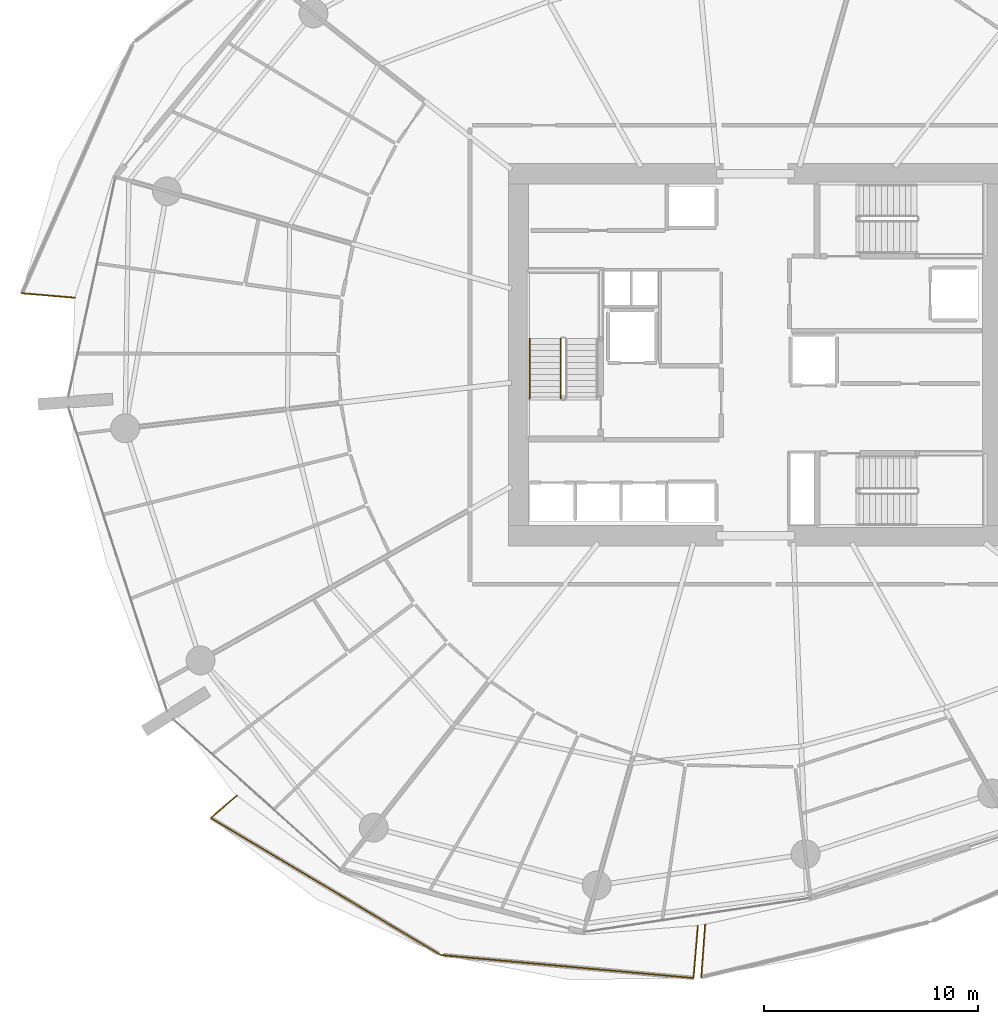
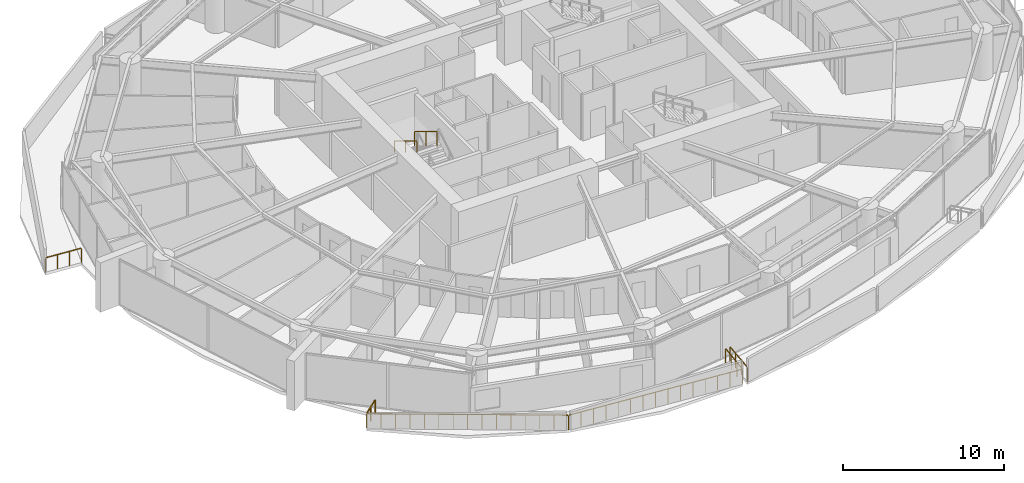
# One storey, part 25 of 31: 8 railings.
"""IFC4 building model written with IfcOpenShell, lengths in metres."""

from ifc_helpers import new_model, si_unit, direction, frame, origin, origin_2d, place, context, subcontext, project, spatial, rectangle, extrude, material, type_object, element, save


model = new_model("IFC4")

# Units and contexts
model_context = context("Model", 3, precision=1e-05, world=origin(), true_north=direction((0.0, 1.0)))
body_context = subcontext(model_context, "Body", "Model", "MODEL_VIEW")
ifc_project = project(units=[si_unit("LENGTHUNIT", "METRE"), si_unit("AREAUNIT", "SQUARE_METRE"), si_unit("VOLUMEUNIT", "CUBIC_METRE"), si_unit("PLANEANGLEUNIT", "RADIAN"), si_unit("MASSUNIT", "GRAM", prefix="KILO")], contexts=[model_context])

# Site, building, storey
site_placement = place(None, origin())
site = spatial("IfcSite", under=ifc_project, at=site_placement, CompositionType="ELEMENT")
building_placement = place(site_placement, origin())
building = spatial("IfcBuilding", under=site, at=building_placement, Name="Kazma Halo Residences", CompositionType="ELEMENT")
storey_placement = place(building_placement, frame((0.0, 0.0, 45.14990234375)))
storey = spatial("IfcBuildingStorey", under=building, at=storey_placement, Name="L10", CompositionType="ELEMENT", Elevation=45.14990234375)

# Railings
ifc_material_1 = material(Name="Aluminium AW-6063 T6 Brushed Cap Rail", Category="aluminium")
railing_type_1 = type_object("IfcRailingType", Name="RLG-BAL-CAP-1120", PredefinedType="BALUSTRADE", material=ifc_material_1)
railing_1_placement = place(storey_placement, frame((14.06201171875, 44.879638671875, 0.0)))
element("IfcRailing", 1, at=railing_1_placement, inside=storey, type_object=railing_type_1, Name="L10 NW wave balcony guard 4", PredefinedType="BALUSTRADE", context=body_context, shape_type="SweptSolid", body=[
    extrude(rectangle(XDim=0.050048828125, YDim=0.050048828125, at=origin_2d()), frame((0.04248046875, -0.003662109375, 1.09521484375), z_axis=(0.996423281843, -0.084502327789, 0.0), x_axis=(0.084502327789, 0.996423281843, 0.0)), (0.0, 0.0, 1.0), 2.4111328125),
    extrude(rectangle(XDim=0.0400390625, YDim=0.0400390625, at=origin_2d()), origin(), (0.0, 0.0, 1.0), 1.05810546875),
    extrude(rectangle(XDim=0.0400390625, YDim=0.0400390625, at=origin_2d()), frame((0.8291015625, -0.0703125, 0.0)), (0.0, 0.0, 1.0), 1.05810546875),
    extrude(rectangle(XDim=0.0400390625, YDim=0.0400390625, at=origin_2d()), frame((1.658203125, -0.140625, 0.0)), (0.0, 0.0, 1.0), 1.05810546875),
    extrude(rectangle(XDim=0.0400390625, YDim=0.0400390625, at=origin_2d()), frame((2.4873046875, -0.2109375, 0.0)), (0.0, 0.0, 1.0), 1.05810546875),
])
railing_2_placement = place(storey_placement, frame((24.124267578125, 21.354736328125, 0.0)))
element("IfcRailing", 2, at=railing_2_placement, inside=storey, type_object=railing_type_1, Name="L10 SW wave balcony guard 1", PredefinedType="BALUSTRADE", context=body_context, shape_type="SweptSolid", body=[
    extrude(rectangle(XDim=0.050048828125, YDim=0.050048828125, at=origin_2d()), frame((-0.0322265625, -0.02783203125, 1.09521484375), z_axis=(-0.756387628106, -0.654123655013, 0.0), x_axis=(0.654123655013, -0.756387628106, 0.0)), (0.0, 0.0, 1.0), 1.516845703125),
    extrude(rectangle(XDim=0.0400390625, YDim=0.0400390625, at=origin_2d()), origin(), (0.0, 0.0, 1.0), 1.05810546875),
    extrude(rectangle(XDim=0.0400390625, YDim=0.0400390625, at=origin_2d()), frame((-0.60595703125, -0.52392578125, 0.0)), (0.0, 0.0, 1.0), 1.05810546875),
    extrude(rectangle(XDim=0.0400390625, YDim=0.0400390625, at=origin_2d()), frame((-1.211669921875, -1.0478515625, 0.0)), (0.0, 0.0, 1.0), 1.05810546875),
])
railing_3_placement = place(storey_placement, frame((22.91259765625, 20.306884765625, 0.0)))
element("IfcRailing", 3, at=railing_3_placement, inside=storey, type_object=railing_type_1, Name="L10 SW wave balcony guard 2", PredefinedType="BALUSTRADE", context=body_context, shape_type="SweptSolid", body=[
    extrude(rectangle(XDim=0.050048828125, YDim=0.050048828125, at=origin_2d()), frame((0.03662109375, -0.021728515625, 1.09521484375), z_axis=(0.858858146073, -0.512213514975, 0.0), x_axis=(0.512213514975, 0.858858146073, 0.0)), (0.0, 0.0, 1.0), 12.447265625),
    extrude(rectangle(XDim=0.0400390625, YDim=0.0400390625, at=origin_2d()), origin(), (0.0, 0.0, 1.0), 1.05810546875),
    extrude(rectangle(XDim=0.0400390625, YDim=0.0400390625, at=origin_2d()), frame((0.768798828125, -0.45849609375, 0.0)), (0.0, 0.0, 1.0), 1.05810546875),
    extrude(rectangle(XDim=0.0400390625, YDim=0.0400390625, at=origin_2d()), frame((1.53759765625, -0.9169921875, 0.0)), (0.0, 0.0, 1.0), 1.05810546875),
    extrude(rectangle(XDim=0.0400390625, YDim=0.0400390625, at=origin_2d()), frame((2.306396484375, -1.37548828125, 0.0)), (0.0, 0.0, 1.0), 1.05810546875),
    extrude(rectangle(XDim=0.0400390625, YDim=0.0400390625, at=origin_2d()), frame((3.0751953125, -1.833984375, 0.0)), (0.0, 0.0, 1.0), 1.05810546875),
    extrude(rectangle(XDim=0.0400390625, YDim=0.0400390625, at=origin_2d()), frame((3.843994140625, -2.29248046875, 0.0)), (0.0, 0.0, 1.0), 1.05810546875),
    extrude(rectangle(XDim=0.0400390625, YDim=0.0400390625, at=origin_2d()), frame((4.61279296875, -2.7509765625, 0.0)), (0.0, 0.0, 1.0), 1.05810546875),
    extrude(rectangle(XDim=0.0400390625, YDim=0.0400390625, at=origin_2d()), frame((5.3818359375, -3.20947265625, 0.0)), (0.0, 0.0, 1.0), 1.05810546875),
    extrude(rectangle(XDim=0.0400390625, YDim=0.0400390625, at=origin_2d()), frame((6.150634765625, -3.668212890625, 0.0)), (0.0, 0.0, 1.0), 1.05810546875),
    extrude(rectangle(XDim=0.0400390625, YDim=0.0400390625, at=origin_2d()), frame((6.91943359375, -4.126708984375, 0.0)), (0.0, 0.0, 1.0), 1.05810546875),
    extrude(rectangle(XDim=0.0400390625, YDim=0.0400390625, at=origin_2d()), frame((7.688232421875, -4.585205078125, 0.0)), (0.0, 0.0, 1.0), 1.05810546875),
    extrude(rectangle(XDim=0.0400390625, YDim=0.0400390625, at=origin_2d()), frame((8.45703125, -5.043701171875, 0.0)), (0.0, 0.0, 1.0), 1.05810546875),
    extrude(rectangle(XDim=0.0400390625, YDim=0.0400390625, at=origin_2d()), frame((9.225830078125, -5.502197265625, 0.0)), (0.0, 0.0, 1.0), 1.05810546875),
    extrude(rectangle(XDim=0.0400390625, YDim=0.0400390625, at=origin_2d()), frame((9.99462890625, -5.960693359375, 0.0)), (0.0, 0.0, 1.0), 1.05810546875),
    extrude(rectangle(XDim=0.0400390625, YDim=0.0400390625, at=origin_2d()), frame((10.763427734375, -6.419189453125, 0.0)), (0.0, 0.0, 1.0), 1.05810546875),
])
railing_4_placement = place(storey_placement, frame((33.676025390625, 13.8876953125, 0.0)))
element("IfcRailing", 4, at=railing_4_placement, inside=storey, type_object=railing_type_1, Name="L10 SW wave balcony guard 3", PredefinedType="BALUSTRADE", context=body_context, shape_type="SweptSolid", body=[
    extrude(rectangle(XDim=0.050048828125, YDim=0.050048828125, at=origin_2d()), frame((0.04248046875, -0.00390625, 1.09521484375), z_axis=(0.995869790697, -0.09079295114, 0.0), x_axis=(0.09079295114, 0.995869790697, 0.0)), (0.0, 0.0, 1.0), 11.81103515625),
    extrude(rectangle(XDim=0.0400390625, YDim=0.0400390625, at=origin_2d()), origin(), (0.0, 0.0, 1.0), 1.05810546875),
    extrude(rectangle(XDim=0.0400390625, YDim=0.0400390625, at=origin_2d()), frame((0.84619140625, -0.0771484375, 0.0)), (0.0, 0.0, 1.0), 1.05810546875),
    extrude(rectangle(XDim=0.0400390625, YDim=0.0400390625, at=origin_2d()), frame((1.6923828125, -0.154296875, 0.0)), (0.0, 0.0, 1.0), 1.05810546875),
    extrude(rectangle(XDim=0.0400390625, YDim=0.0400390625, at=origin_2d()), frame((2.53857421875, -0.2314453125, 0.0)), (0.0, 0.0, 1.0), 1.05810546875),
    extrude(rectangle(XDim=0.0400390625, YDim=0.0400390625, at=origin_2d()), frame((3.384765625, -0.30859375, 0.0)), (0.0, 0.0, 1.0), 1.05810546875),
    extrude(rectangle(XDim=0.0400390625, YDim=0.0400390625, at=origin_2d()), frame((4.23095703125, -0.3857421875, 0.0)), (0.0, 0.0, 1.0), 1.05810546875),
    extrude(rectangle(XDim=0.0400390625, YDim=0.0400390625, at=origin_2d()), frame((5.0771484375, -0.462890625, 0.0)), (0.0, 0.0, 1.0), 1.05810546875),
    extrude(rectangle(XDim=0.0400390625, YDim=0.0400390625, at=origin_2d()), frame((5.92333984375, -0.5400390625, 0.0)), (0.0, 0.0, 1.0), 1.05810546875),
    extrude(rectangle(XDim=0.0400390625, YDim=0.0400390625, at=origin_2d()), frame((6.769775390625, -0.6171875, 0.0)), (0.0, 0.0, 1.0), 1.05810546875),
    extrude(rectangle(XDim=0.0400390625, YDim=0.0400390625, at=origin_2d()), frame((7.615966796875, -0.6943359375, 0.0)), (0.0, 0.0, 1.0), 1.05810546875),
    extrude(rectangle(XDim=0.0400390625, YDim=0.0400390625, at=origin_2d()), frame((8.462158203125, -0.771484375, 0.0)), (0.0, 0.0, 1.0), 1.05810546875),
    extrude(rectangle(XDim=0.0400390625, YDim=0.0400390625, at=origin_2d()), frame((9.308349609375, -0.8486328125, 0.0)), (0.0, 0.0, 1.0), 1.05810546875),
    extrude(rectangle(XDim=0.0400390625, YDim=0.0400390625, at=origin_2d()), frame((10.154541015625, -0.92578125, 0.0)), (0.0, 0.0, 1.0), 1.05810546875),
    extrude(rectangle(XDim=0.0400390625, YDim=0.0400390625, at=origin_2d()), frame((11.000732421875, -1.0029296875, 0.0)), (0.0, 0.0, 1.0), 1.05810546875),
    extrude(rectangle(XDim=0.0400390625, YDim=0.0400390625, at=origin_2d()), frame((11.846923828125, -1.080078125, 0.0)), (0.0, 0.0, 1.0), 1.05810546875),
])
railing_5_placement = place(storey_placement, frame((45.52294921875, 12.8076171875, 0.0)))
element("IfcRailing", 5, at=railing_5_placement, inside=storey, type_object=railing_type_1, Name="L10 SW wave balcony guard 4", PredefinedType="BALUSTRADE", context=body_context, shape_type="SweptSolid", body=[
    extrude(rectangle(XDim=0.050048828125, YDim=0.050048828125, at=origin_2d()), frame((0.003662109375, 0.04248046875, 1.09521484375), z_axis=(0.084557777597, 0.996418577832, 0.0), x_axis=(-0.996418577832, 0.084557777597, 0.0)), (0.0, 0.0, 1.0), 2.386474609375),
    extrude(rectangle(XDim=0.0400390625, YDim=0.0400390625, at=origin_2d()), origin(), (0.0, 0.0, 1.0), 1.05810546875),
    extrude(rectangle(XDim=0.0400390625, YDim=0.0400390625, at=origin_2d()), frame((0.069580078125, 0.82080078125, 0.0)), (0.0, 0.0, 1.0), 1.05810546875),
    extrude(rectangle(XDim=0.0400390625, YDim=0.0400390625, at=origin_2d()), frame((0.139404296875, 1.641845703125, 0.0)), (0.0, 0.0, 1.0), 1.05810546875),
    extrude(rectangle(XDim=0.0400390625, YDim=0.0400390625, at=origin_2d()), frame((0.208984375, 2.462646484375, 0.0)), (0.0, 0.0, 1.0), 1.05810546875),
])
railing_6_placement = place(storey_placement, frame((46.064208984375, 15.320068359375, 0.0)))
element("IfcRailing", 6, at=railing_6_placement, inside=storey, type_object=railing_type_1, Name="L10 SSE wave balcony guard 1", PredefinedType="BALUSTRADE", context=body_context, shape_type="SweptSolid", body=[
    extrude(rectangle(XDim=0.050048828125, YDim=0.050048828125, at=origin_2d()), frame((-0.003173828125, -0.04248046875, 1.09521484375), z_axis=(-0.072359420263, -0.997378621337, 0.0), x_axis=(0.997378621337, -0.072359420263, 0.0)), (0.0, 0.0, 1.0), 2.394775390625),
    extrude(rectangle(XDim=0.0400390625, YDim=0.0400390625, at=origin_2d()), origin(), (0.0, 0.0, 1.0), 1.05810546875),
    extrude(rectangle(XDim=0.0400390625, YDim=0.0400390625, at=origin_2d()), frame((-0.059814453125, -0.824462890625, 0.0)), (0.0, 0.0, 1.0), 1.05810546875),
    extrude(rectangle(XDim=0.0400390625, YDim=0.0400390625, at=origin_2d()), frame((-0.11962890625, -1.64892578125, 0.0)), (0.0, 0.0, 1.0), 1.05810546875),
    extrude(rectangle(XDim=0.0400390625, YDim=0.0400390625, at=origin_2d()), frame((-0.179443359375, -2.473388671875, 0.0)), (0.0, 0.0, 1.0), 1.05810546875),
])
ifc_material_2 = material(Name="Painted Steel S355", Category="steel")
railing_type_2 = type_object("IfcRailingType", Name="RLG-STAIR-GRD-1100", PredefinedType="GUARDRAIL", material=ifc_material_2)
railing_7_placement = place(storey_placement, frame((39.300048828125, 42.75, 2.045654296875)))
element("IfcRailing", 7, at=railing_7_placement, inside=storey, type_object=railing_type_2, Name="L10 ST-01 stair guard 3", PredefinedType="GUARDRAIL", context=body_context, shape_type="SweptSolid", body=[
    extrude(rectangle(XDim=0.050048828125, YDim=0.050048828125, at=origin_2d()), frame((0.0, -0.036376953125, 1.09716796875), z_axis=(0.0, -0.854202870247, 0.519939858505), x_axis=(1.0, 0.0, 0.0)), (0.0, 0.0, 1.0), 3.19287109375),
    extrude(rectangle(XDim=0.0400390625, YDim=0.0400390625, at=origin_2d()), origin(), (0.0, 0.0, 1.0), 1.0380859375),
    extrude(rectangle(XDim=0.0400390625, YDim=0.0400390625, at=origin_2d()), frame((0.0, -1.39990234375, 0.85205078125)), (0.0, 0.0, 1.0), 1.0380859375),
    extrude(rectangle(XDim=0.0400390625, YDim=0.0400390625, at=origin_2d()), frame((0.0, -2.800048828125, 1.704345703125)), (0.0, 0.0, 1.0), 1.0380859375),
])
ifc_material_3 = material(Name="Brushed Stainless Steel", Category="steel")
railing_type_3 = type_object("IfcRailingType", Name="RLG-STAIR-HND-900", PredefinedType="HANDRAIL", material=ifc_material_3)
railing_8_placement = place(storey_placement, frame((37.85009765625, 42.75, 2.045654296875)))
element("IfcRailing", 8, at=railing_8_placement, inside=storey, type_object=railing_type_3, Name="L10 ST-01 stair handrail 2", PredefinedType="HANDRAIL", context=body_context, shape_type="SweptSolid", body=[
    extrude(rectangle(XDim=0.050048828125, YDim=0.050048828125, at=origin_2d()), frame((0.0, -0.036376953125, 0.89697265625), z_axis=(0.0, -0.854202870247, 0.519939858505), x_axis=(1.0, 0.0, 0.0)), (0.0, 0.0, 1.0), 3.19287109375),
    extrude(rectangle(XDim=0.0400390625, YDim=0.0400390625, at=origin_2d()), origin(), (0.0, 0.0, 1.0), 0.837890625),
    extrude(rectangle(XDim=0.0400390625, YDim=0.0400390625, at=origin_2d()), frame((0.0, -1.39990234375, 0.85205078125)), (0.0, 0.0, 1.0), 0.837890625),
    extrude(rectangle(XDim=0.0400390625, YDim=0.0400390625, at=origin_2d()), frame((0.0, -2.800048828125, 1.704345703125)), (0.0, 0.0, 1.0), 0.837890625),
])

save(model, "model.ifc")
